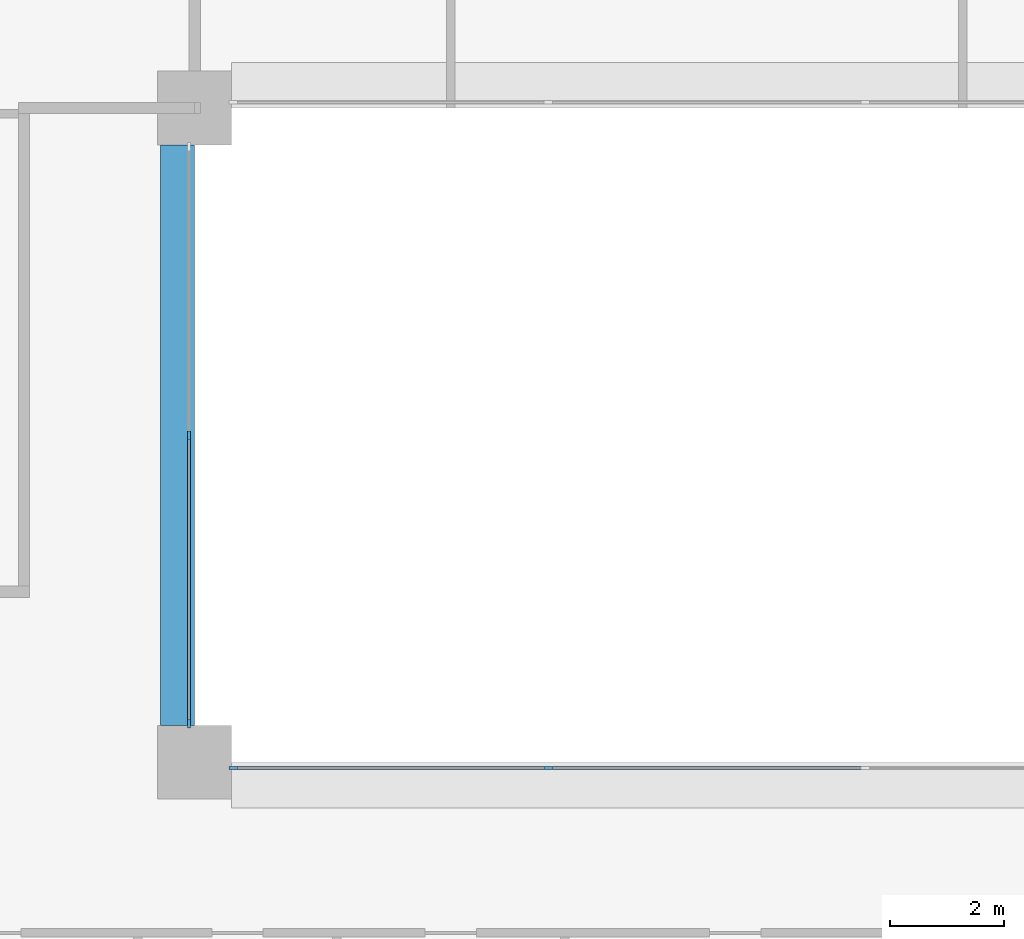
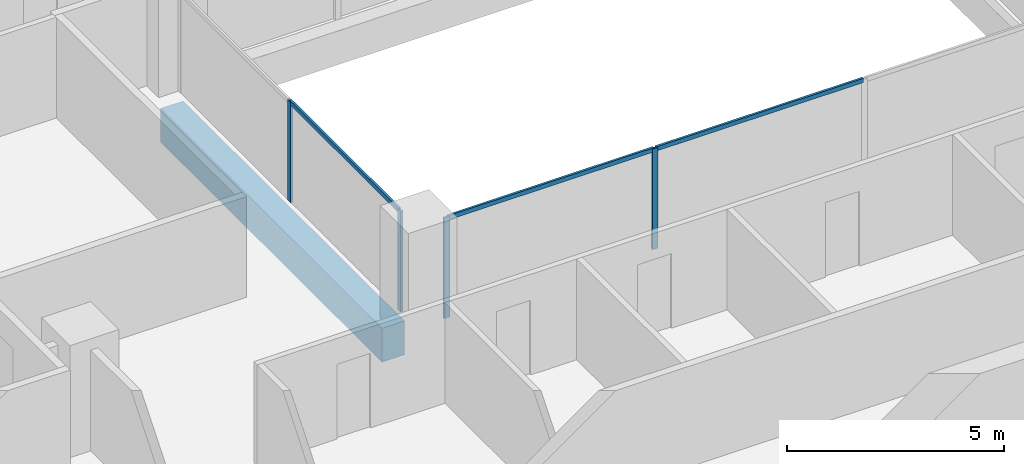
# One storey, part 2 of 17: 7 members, 1 beam, 2 elements without a shape of their own.
"""IFC4 building model written with IfcOpenShell, lengths in metres."""

from ifc_helpers import new_model, si_unit, direction, frame, origin, origin_2d, place, context, subcontext, project, spatial, rectangle, extrude, material, layer, layer_set, material_profile, profile_set, type_object, element, aggregate, save


model = new_model("IFC4")

# Units and contexts
model_context = context("Model", 3, precision=1e-05, world=origin(), true_north=direction((0.0, 1.0)))
body_context = subcontext(model_context, "Body", "Model", "MODEL_VIEW")
ifc_project = project(units=[si_unit("LENGTHUNIT", "METRE"), si_unit("AREAUNIT", "SQUARE_METRE"), si_unit("VOLUMEUNIT", "CUBIC_METRE"), si_unit("PLANEANGLEUNIT", "RADIAN"), si_unit("MASSUNIT", "GRAM", prefix="KILO")], contexts=[model_context])

# Site, building, storey
site_placement = place(None, origin())
site = spatial("IfcSite", under=ifc_project, at=site_placement, CompositionType="ELEMENT")
building_placement = place(site_placement, origin())
building = spatial("IfcBuilding", under=site, at=building_placement, Name="Brigalow Station Residences", CompositionType="ELEMENT")
storey_placement = place(building_placement, frame((0.0, 0.0, 96.14990234375)))
storey = spatial("IfcBuildingStorey", under=building, at=storey_placement, Name="L27", CompositionType="ELEMENT", Elevation=96.14990234375)

# Beam
ifc_material_1 = material(Name="Concrete C65", Category="concrete")
ifc_material_profile_1 = material_profile(ifc_material_1, rectangle(XDim=0.60009765625, YDim=0.949951171875, at=origin_2d()), Name="RC600x950")
ifc_profile_set_1 = profile_set([ifc_material_profile_1], Name="Concrete C65")
beam_type = type_object("IfcBeamType", Name="ATRIUM EDGE GIRDER 600x950 C65", PredefinedType="BEAM", material=ifc_profile_set_1)
beam_placement = place(storey_placement, frame((26.699951171875, 24.64990234375, -0.794921875), z_axis=(0.0, 1.0, 0.0), x_axis=(-1.0, 0.0, 0.0)))
element("IfcBeam", 1, at=beam_placement, inside=storey, type_object=beam_type, Name="ATRIUM EDGE GIRDER 3 L27", PredefinedType="BEAM", context=body_context, shape_type="SweptSolid", body=[
    extrude(rectangle(XDim=0.60009765625, YDim=0.949951171875, at=origin_2d()), origin(), (0.0, 0.0, 1.0), 10.2001953125),
])

# Curtain wall, members
ifc_material_2 = material(Name="Aluminium", Category="aluminium")
ifc_layer = layer(ifc_material_2, 0.14990234375)
ifc_layer_set = layer_set([ifc_layer], Name="ATRIUM FIRE-RATED GLAZING CURTAIN WALL")
curtain_wall_type = type_object("IfcCurtainWallType", Name="ATRIUM FIRE-RATED GLAZING CURTAIN WALL", PredefinedType="NOTDEFINED", material=ifc_layer_set)
curtain_wall_1_placement = place(storey_placement, origin())
curtain_wall_1 = element("IfcCurtainWall", 2, at=curtain_wall_1_placement, inside=storey, type_object=curtain_wall_type, Name="L27/cw/atrium-S", PredefinedType="NOTDEFINED")
ifc_material_3 = material(Name="Aluminium", Category="aluminium")
ifc_material_profile_2 = material_profile(ifc_material_3, rectangle(XDim=0.06005859375, YDim=0.14990234375, at=origin_2d()), Name="ATRIUM FIRE-RATED GLAZING MULLION 60x150")
ifc_profile_set_2 = profile_set([ifc_material_profile_2], Name="Aluminium")
member_type_1 = type_object("IfcMemberType", Name="ATRIUM FIRE-RATED GLAZING MULLION 60x150", PredefinedType="MULLION", material=ifc_profile_set_2)
member_1_placement = place(storey_placement, frame((27.679931640625, 23.89990234375, 0.0), z_axis=(0.0, 0.0, 1.0), x_axis=(0.0, 1.0, 0.0)))
member_1 = element("IfcMember", 3, at=member_1_placement, type_object=member_type_1, Name="L27/cw/atrium-S/M00", PredefinedType="MULLION", context=body_context, shape_type="SweptSolid", body=[
    extrude(rectangle(XDim=0.06005859375, YDim=0.14990234375, at=origin_2d()), origin(), (0.0, 0.0, 1.0), 2.830078125),
])
member_2_placement = place(storey_placement, frame((33.216796875, 23.89990234375, 0.0), z_axis=(0.0, 0.0, 1.0), x_axis=(0.0, 1.0, 0.0)))
member_2 = element("IfcMember", 4, at=member_2_placement, type_object=member_type_1, Name="L27/cw/atrium-S/M01", PredefinedType="MULLION", context=body_context, shape_type="SweptSolid", body=[
    extrude(rectangle(XDim=0.06005859375, YDim=0.14990234375, at=origin_2d()), origin(), (0.0, 0.0, 1.0), 2.830078125),
])

curtain_wall_2_placement = place(storey_placement, origin())
curtain_wall_2 = element("IfcCurtainWall", 5, at=curtain_wall_2_placement, inside=storey, type_object=curtain_wall_type, Name="L27/cw/atrium-W", PredefinedType="NOTDEFINED")
member_3_placement = place(storey_placement, frame((26.89990234375, 29.75, 0.0), z_axis=(0.0, 0.0, 1.0), x_axis=(1.0, 0.0, 0.0)))
member_3 = element("IfcMember", 6, at=member_3_placement, type_object=member_type_1, Name="L27/cw/atrium-W/M01", PredefinedType="MULLION", context=body_context, shape_type="SweptSolid", body=[
    extrude(rectangle(XDim=0.06005859375, YDim=0.14990234375, at=origin_2d()), origin(), (0.0, 0.0, 1.0), 2.830078125),
])
member_4_placement = place(storey_placement, frame((26.89990234375, 24.679931640625, 0.0), z_axis=(0.0, 0.0, 1.0), x_axis=(1.0, 0.0, 0.0)))
member_4 = element("IfcMember", 7, at=member_4_placement, type_object=member_type_1, Name="L27/cw/atrium-W/M02", PredefinedType="MULLION", context=body_context, shape_type="SweptSolid", body=[
    extrude(rectangle(XDim=0.06005859375, YDim=0.14990234375, at=origin_2d()), origin(), (0.0, 0.0, 1.0), 2.830078125),
])

# Member
ifc_material_4 = material(Name="Aluminium", Category="aluminium")
ifc_material_profile_3 = material_profile(ifc_material_4, rectangle(XDim=0.06005859375, YDim=0.1201171875, at=origin_2d()), Name="ATRIUM FIRE-RATED GLAZING TRANSOM 60x120")
ifc_profile_set_3 = profile_set([ifc_material_profile_3], Name="Aluminium")
member_type_2 = type_object("IfcMemberType", Name="ATRIUM FIRE-RATED GLAZING TRANSOM 60x120", PredefinedType="USERDEFINED", material=ifc_profile_set_3)
member_5_placement = place(storey_placement, frame((27.7099609375, 23.89990234375, 2.800048828125), z_axis=(1.0, 0.0, 0.0), x_axis=(0.0, 1.0, 0.0)))
member_5 = element("IfcMember", 8, at=member_5_placement, type_object=member_type_2, Name="L27/cw/atrium-S/T00-00", ObjectType="TRANSOM", PredefinedType="USERDEFINED", context=body_context, shape_type="SweptSolid", body=[
    extrude(rectangle(XDim=0.06005859375, YDim=0.1201171875, at=origin_2d()), origin(), (0.0, 0.0, 1.0), 5.476806640625),
])

member_6_placement = place(storey_placement, frame((33.24658203125, 23.89990234375, 2.800048828125), z_axis=(1.0, 0.0, 0.0), x_axis=(0.0, 1.0, 0.0)))
member_6 = element("IfcMember", 9, at=member_6_placement, type_object=member_type_2, Name="L27/cw/atrium-S/T01-00", ObjectType="TRANSOM", PredefinedType="USERDEFINED", context=body_context, shape_type="SweptSolid", body=[
    extrude(rectangle(XDim=0.06005859375, YDim=0.1201171875, at=origin_2d()), origin(), (0.0, 0.0, 1.0), 5.5068359375),
])

aggregate(curtain_wall_1, [member_1, member_2, member_5, member_6])

member_7_placement = place(storey_placement, frame((26.89990234375, 29.719970703125, 2.800048828125), z_axis=(0.0, -1.0, 0.0), x_axis=(1.0, 0.0, 0.0)))
member_7 = element("IfcMember", 10, at=member_7_placement, type_object=member_type_2, Name="L27/cw/atrium-W/T01-00", ObjectType="TRANSOM", PredefinedType="USERDEFINED", context=body_context, shape_type="SweptSolid", body=[
    extrude(rectangle(XDim=0.06005859375, YDim=0.1201171875, at=origin_2d()), origin(), (0.0, 0.0, 1.0), 5.010009765625),
])

aggregate(curtain_wall_2, [member_3, member_4, member_7])

save(model, "model.ifc")
